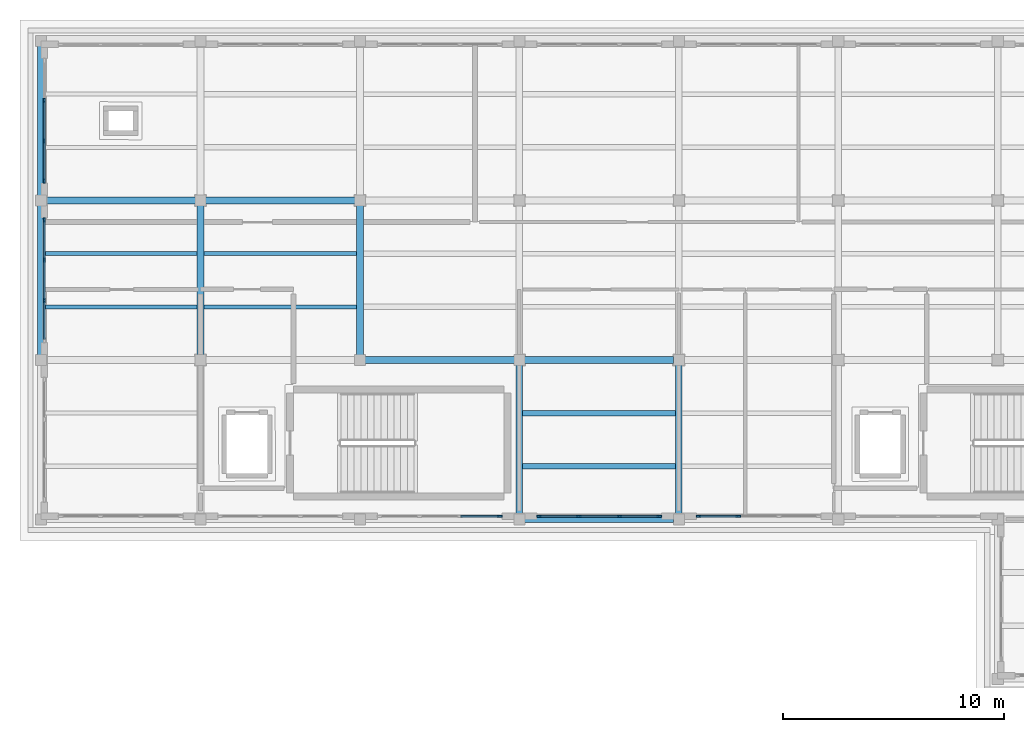
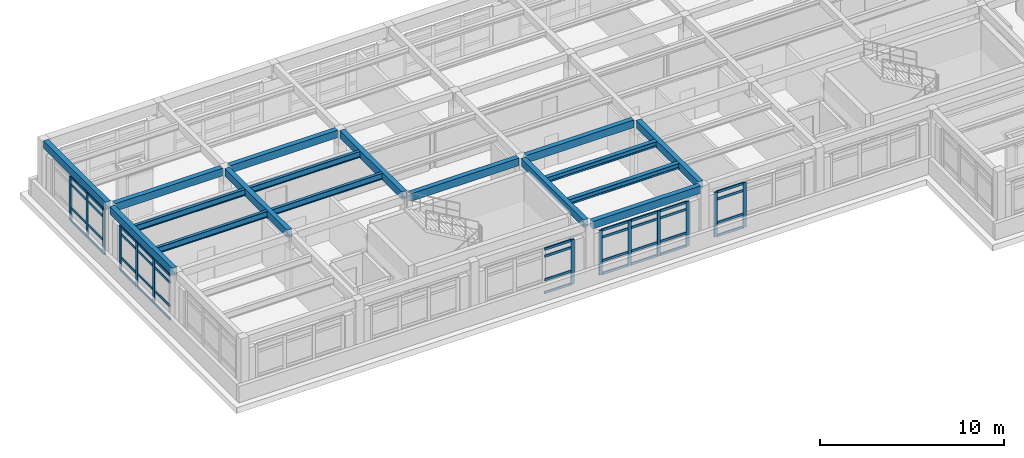
# One storey, part 3 of 18: 53 members, 17 beams, 5 elements without a shape of their own.
"""IFC4 building model written with IfcOpenShell, lengths in metres."""

from ifc_helpers import new_model, si_unit, direction, frame, origin, origin_2d, place, context, subcontext, project, spatial, rectangle, i_section, extrude, material, layer, layer_set, material_profile, profile_set, type_object, element, aggregate, save


model = new_model("IFC4")

# Units and contexts
model_context = context("Model", 3, precision=1e-05, world=origin(), true_north=direction((0.0, 1.0)))
body_context = subcontext(model_context, "Body", "Model", "MODEL_VIEW")
ifc_project = project(units=[si_unit("LENGTHUNIT", "METRE"), si_unit("AREAUNIT", "SQUARE_METRE"), si_unit("VOLUMEUNIT", "CUBIC_METRE"), si_unit("PLANEANGLEUNIT", "RADIAN"), si_unit("MASSUNIT", "GRAM", prefix="KILO")], contexts=[model_context])

# Site, building, storey
site_placement = place(None, origin())
site = spatial("IfcSite", under=ifc_project, at=site_placement, CompositionType="ELEMENT")
building_placement = place(site_placement, origin())
building = spatial("IfcBuilding", under=site, at=building_placement, Name="Solenvale Faculty of Natural Sciences", CompositionType="ELEMENT")
storey_placement = place(building_placement, frame((0.0, 0.0, 43.800048828125)))
storey = spatial("IfcBuildingStorey", under=building, at=storey_placement, Name="L10", CompositionType="ELEMENT", Elevation=43.800048828125)

# Beams
ifc_material_1 = material(Name="Concrete 40 MPa", Category="concrete")
ifc_material_profile_1 = material_profile(ifc_material_1, rectangle(XDim=0.300048828125, YDim=0.5, at=origin_2d()), Name="RC-BM-300x500")
ifc_profile_set_1 = profile_set([ifc_material_profile_1], Name="Concrete 40 MPa")
beam_type_1 = type_object("IfcBeamType", Name="BM-RC-300x500", PredefinedType="BEAM", material=ifc_profile_set_1)
for number, where, z_axis, x_axis, name in (
    (1, (115.429931640625, 93.60009765625, 3.669921875), (1.0, 0.0, 0.0), (0.0, 1.0, 0.0), "L10 X-Girder Y93.6 (115.2..122.4)"),
    (2, (108.22998046875, 100.800048828125, 3.669921875), (1.0, 0.0, 0.0), (0.0, 1.0, 0.0), "L10 X-Girder Y100.8 (108.0..115.2)"),
    (3, (115.429931640625, 100.800048828125, 3.669921875), (1.0, 0.0, 0.0), (0.0, 1.0, 0.0), "L10 X-Girder Y100.8 (115.2..122.4)"),
    (4, (93.830078125, 108.0, 3.669921875), (1.0, 0.0, 0.0), (0.0, 1.0, 0.0), "L10 X-Girder Y108.0 (93.6..100.8)"),
    (5, (101.030029296875, 108.0, 3.669921875), (1.0, 0.0, 0.0), (0.0, 1.0, 0.0), "L10 X-Girder Y108.0 (100.8..108.0)"),
    (6, (93.60009765625, 101.030029296875, 3.669921875), (0.0, 1.0, 0.0), (-1.0, 0.0, 0.0), "L10 Y-Girder X93.6 (100.8..108.0)"),
    (7, (93.60009765625, 108.22998046875, 3.669921875), (0.0, 1.0, 0.0), (-1.0, 0.0, 0.0), "L10 Y-Girder X93.6 (108.0..115.2)"),
    (8, (100.800048828125, 101.030029296875, 3.669921875), (0.0, 1.0, 0.0), (-1.0, 0.0, 0.0), "L10 Y-Girder X100.8 (100.8..108.0)"),
    (9, (108.0, 101.030029296875, 3.669921875), (0.0, 1.0, 0.0), (-1.0, 0.0, 0.0), "L10 Y-Girder X108.0 (100.8..108.0)"),
    (10, (115.199951171875, 93.830078125, 3.669921875), (0.0, 1.0, 0.0), (-1.0, 0.0, 0.0), "L10 Y-Girder X115.2 (93.6..100.8)"),
    (11, (122.39990234375, 93.830078125, 3.669921875), (0.0, 1.0, 0.0), (-1.0, 0.0, 0.0), "L10 Y-Girder X122.4 (93.6..100.8)"),
):
    element("IfcBeam", number, at=place(storey_placement, frame(where, z_axis=z_axis, x_axis=x_axis)), inside=storey, type_object=beam_type_1, Name=name, PredefinedType="BEAM", context=body_context, shape_type="SweptSolid", body=[
        extrude(rectangle(XDim=0.300048828125, YDim=0.5, at=origin_2d()), origin(), (0.0, 0.0, 1.0), 6.739990234375),
    ])
ifc_material_2 = material(Name="Steel S355", Category="steel")
ifc_material_profile_2 = material_profile(ifc_material_2, i_section(OverallWidth=0.2548828125, OverallDepth=0.35693359375, WebThickness=0.010498046875, FlangeThickness=0.018310546875, FilletRadius=0.014892578125, at=origin_2d()), Name="W360x101")
ifc_profile_set_2 = profile_set([ifc_material_profile_2], Name="Steel S355")
beam_type_2 = type_object("IfcBeamType", Name="BM-STL-W360x101", PredefinedType="JOIST", material=ifc_profile_set_2)
for number, where, z_axis, x_axis, name in (
    (12, (115.330078125, 96.0, 3.741455078125), (1.0, 0.0, 0.0), (0.0, 1.0, 0.0), "L10 Composite Floor Joist (17,14).1"),
    (13, (115.330078125, 98.39990234375, 3.741455078125), (1.0, 0.0, 0.0), (0.0, 1.0, 0.0), "L10 Composite Floor Joist (17,14).2"),
):
    element("IfcBeam", number, at=place(storey_placement, frame(where, z_axis=z_axis, x_axis=x_axis)), inside=storey, type_object=beam_type_2, Name=name, PredefinedType="JOIST", context=body_context, shape_type="SweptSolid", body=[
        extrude(i_section(OverallWidth=0.2548828125, OverallDepth=0.35693359375, WebThickness=0.010498046875, FlangeThickness=0.018310546875, FilletRadius=0.014892578125, at=origin_2d()), origin(), (0.0, 0.0, 1.0), 6.93994140625),
    ])
ifc_material_profile_3 = material_profile(ifc_material_2, i_section(OverallWidth=0.178955078125, OverallDepth=0.409912109375, WebThickness=0.0087890625, FlangeThickness=0.014404296875, FilletRadius=0.01611328125, at=origin_2d()), Name="W410x67")
ifc_profile_set_3 = profile_set([ifc_material_profile_3], Name="Steel S355")
beam_type_3 = type_object("IfcBeamType", Name="BM-STL-W410x67", PredefinedType="JOIST", material=ifc_profile_set_3)
for number, where, z_axis, x_axis, name in (
    (14, (100.929931640625, 103.199951171875, 3.71484375), (1.0, 0.0, 0.0), (0.0, 1.0, 0.0), "L10 Composite Floor Joist (15,15).1"),
    (15, (100.929931640625, 105.60009765625, 3.71484375), (1.0, 0.0, 0.0), (0.0, 1.0, 0.0), "L10 Composite Floor Joist (15,15).2"),
):
    element("IfcBeam", number, at=place(storey_placement, frame(where, z_axis=z_axis, x_axis=x_axis)), inside=storey, type_object=beam_type_3, Name=name, PredefinedType="JOIST", context=body_context, shape_type="SweptSolid", body=[
        extrude(i_section(OverallWidth=0.178955078125, OverallDepth=0.409912109375, WebThickness=0.0087890625, FlangeThickness=0.014404296875, FilletRadius=0.01611328125, at=origin_2d()), origin(), (0.0, 0.0, 1.0), 6.940185546875),
    ])
ifc_material_profile_4 = material_profile(ifc_material_2, i_section(OverallWidth=0.180908203125, OverallDepth=0.4169921875, WebThickness=0.010986328125, FlangeThickness=0.018310546875, FilletRadius=0.01611328125, at=origin_2d()), Name="W410x85")
ifc_profile_set_4 = profile_set([ifc_material_profile_4], Name="Steel S355")
beam_type_4 = type_object("IfcBeamType", Name="BM-STL-W410x85", PredefinedType="JOIST", material=ifc_profile_set_4)
for number, where, z_axis, x_axis, name in (
    (16, (93.72998046875, 103.199951171875, 3.71142578125), (1.0, 0.0, 0.0), (0.0, 1.0, 0.0), "L10 Composite Floor Joist (14,15).1"),
    (17, (93.72998046875, 105.60009765625, 3.71142578125), (1.0, 0.0, 0.0), (0.0, 1.0, 0.0), "L10 Composite Floor Joist (14,15).2"),
):
    element("IfcBeam", number, at=place(storey_placement, frame(where, z_axis=z_axis, x_axis=x_axis)), inside=storey, type_object=beam_type_4, Name=name, PredefinedType="JOIST", context=body_context, shape_type="SweptSolid", body=[
        extrude(i_section(OverallWidth=0.180908203125, OverallDepth=0.4169921875, WebThickness=0.010986328125, FlangeThickness=0.018310546875, FilletRadius=0.01611328125, at=origin_2d()), origin(), (0.0, 0.0, 1.0), 6.93994140625),
    ])

# Curtain wall, members
ifc_material_3 = material(Name="Anodised bronze aluminium", Category="aluminium")
ifc_layer = layer(ifc_material_3, 0.179931640625)
ifc_layer_set = layer_set([ifc_layer], Name="Anodised bronze aluminium")
curtain_wall_type = type_object("IfcCurtainWallType", Name="CW-TWR-MOD", PredefinedType="USERDEFINED", material=ifc_layer_set)
curtain_wall_1_placement = place(storey_placement, origin())
curtain_wall_1 = element("IfcCurtainWall", 18, at=curtain_wall_1_placement, inside=storey, type_object=curtain_wall_type, Name="L10 Curtain Wall CW-L10-P1-E3-B1", ObjectType="UNITISED CURTAIN WALL", PredefinedType="USERDEFINED")
ifc_material_profile_5 = material_profile(ifc_material_3, rectangle(XDim=0.074951171875, YDim=0.2099609375, at=origin_2d()), Name="ALU-MUL-75x210")
ifc_profile_set_5 = profile_set([ifc_material_profile_5], Name="Anodised bronze aluminium")
member_type_1 = type_object("IfcMemberType", Name="CWM-ALU-75x210", PredefinedType="MULLION", material=ifc_profile_set_5)
member_1_placement = place(storey_placement, frame((93.742431640625, 112.5166015625, 0.0), z_axis=(0.0, 0.0, 1.0), x_axis=(1.0, 0.0, 0.0)))
member_1 = element("IfcMember", 19, at=member_1_placement, type_object=member_type_1, Name="CW-04 mullion 2", PredefinedType="MULLION", context=body_context, shape_type="SweptSolid", body=[
    extrude(rectangle(XDim=0.074951171875, YDim=0.2099609375, at=origin_2d()), origin(), (0.0, 0.0, 1.0), 2.9599609375),
])
member_2_placement = place(storey_placement, frame((93.742431640625, 110.683349609375, 0.0), z_axis=(0.0, 0.0, 1.0), x_axis=(1.0, 0.0, 0.0)))
member_2 = element("IfcMember", 20, at=member_2_placement, type_object=member_type_1, Name="CW-04 mullion 3", PredefinedType="MULLION", context=body_context, shape_type="SweptSolid", body=[
    extrude(rectangle(XDim=0.074951171875, YDim=0.2099609375, at=origin_2d()), origin(), (0.0, 0.0, 1.0), 2.9599609375),
])
member_3_placement = place(storey_placement, frame((93.742431640625, 108.887451171875, 0.0), z_axis=(0.0, 0.0, 1.0), x_axis=(1.0, 0.0, 0.0)))
member_3 = element("IfcMember", 21, at=member_3_placement, type_object=member_type_1, Name="CW-04 mullion 4", PredefinedType="MULLION", context=body_context, shape_type="SweptSolid", body=[
    extrude(rectangle(XDim=0.074951171875, YDim=0.2099609375, at=origin_2d()), origin(), (0.0, 0.0, 1.0), 2.9599609375),
])

curtain_wall_2_placement = place(storey_placement, origin())
curtain_wall_2 = element("IfcCurtainWall", 22, at=curtain_wall_2_placement, inside=storey, type_object=curtain_wall_type, Name="L10 Curtain Wall CW-L10-P1-E3-B2", ObjectType="UNITISED CURTAIN WALL", PredefinedType="USERDEFINED")
member_4_placement = place(storey_placement, frame((93.742431640625, 107.112548828125, 0.0), z_axis=(0.0, 0.0, 1.0), x_axis=(1.0, 0.0, 0.0)))
member_4 = element("IfcMember", 23, at=member_4_placement, type_object=member_type_1, Name="CW-04 mullion 1", PredefinedType="MULLION", context=body_context, shape_type="SweptSolid", body=[
    extrude(rectangle(XDim=0.074951171875, YDim=0.2099609375, at=origin_2d()), origin(), (0.0, 0.0, 1.0), 2.9599609375),
])
member_5_placement = place(storey_placement, frame((93.742431640625, 105.316650390625, 0.0), z_axis=(0.0, 0.0, 1.0), x_axis=(1.0, 0.0, 0.0)))
member_5 = element("IfcMember", 24, at=member_5_placement, type_object=member_type_1, Name="CW-04 mullion 2", PredefinedType="MULLION", context=body_context, shape_type="SweptSolid", body=[
    extrude(rectangle(XDim=0.074951171875, YDim=0.2099609375, at=origin_2d()), origin(), (0.0, 0.0, 1.0), 2.9599609375),
])
member_6_placement = place(storey_placement, frame((93.742431640625, 103.4833984375, 0.0), z_axis=(0.0, 0.0, 1.0), x_axis=(1.0, 0.0, 0.0)))
member_6 = element("IfcMember", 25, at=member_6_placement, type_object=member_type_1, Name="CW-04 mullion 3", PredefinedType="MULLION", context=body_context, shape_type="SweptSolid", body=[
    extrude(rectangle(XDim=0.074951171875, YDim=0.2099609375, at=origin_2d()), origin(), (0.0, 0.0, 1.0), 2.9599609375),
])

# Curtain wall, member
curtain_wall_3_placement = place(storey_placement, origin())
curtain_wall_3 = element("IfcCurtainWall", 26, at=curtain_wall_3_placement, inside=storey, type_object=curtain_wall_type, Name="L10 Curtain Wall CW-L10-P1-E4-B3", ObjectType="UNITISED CURTAIN WALL", PredefinedType="USERDEFINED")
member_7_placement = place(storey_placement, frame((114.3125, 93.742431640625, 0.0), z_axis=(0.0, 0.0, 1.0), x_axis=(0.0, 1.0, 0.0)))
member_7 = element("IfcMember", 27, at=member_7_placement, type_object=member_type_1, Name="CW-04 mullion 4", PredefinedType="MULLION", context=body_context, shape_type="SweptSolid", body=[
    extrude(rectangle(XDim=0.074951171875, YDim=0.2099609375, at=origin_2d()), origin(), (0.0, 0.0, 1.0), 2.9599609375),
])

# Curtain wall, members
curtain_wall_4_placement = place(storey_placement, origin())
curtain_wall_4 = element("IfcCurtainWall", 28, at=curtain_wall_4_placement, inside=storey, type_object=curtain_wall_type, Name="L10 Curtain Wall CW-L10-P1-E4-B4", ObjectType="UNITISED CURTAIN WALL", PredefinedType="USERDEFINED")
member_8_placement = place(storey_placement, frame((116.08740234375, 93.742431640625, 0.0), z_axis=(0.0, 0.0, 1.0), x_axis=(0.0, 1.0, 0.0)))
member_8 = element("IfcMember", 29, at=member_8_placement, type_object=member_type_1, Name="CW-04 mullion 1", PredefinedType="MULLION", context=body_context, shape_type="SweptSolid", body=[
    extrude(rectangle(XDim=0.074951171875, YDim=0.2099609375, at=origin_2d()), origin(), (0.0, 0.0, 1.0), 2.9599609375),
])
member_9_placement = place(storey_placement, frame((117.88330078125, 93.742431640625, 0.0), z_axis=(0.0, 0.0, 1.0), x_axis=(0.0, 1.0, 0.0)))
member_9 = element("IfcMember", 30, at=member_9_placement, type_object=member_type_1, Name="CW-04 mullion 2", PredefinedType="MULLION", context=body_context, shape_type="SweptSolid", body=[
    extrude(rectangle(XDim=0.074951171875, YDim=0.2099609375, at=origin_2d()), origin(), (0.0, 0.0, 1.0), 2.9599609375),
])
member_10_placement = place(storey_placement, frame((119.716552734375, 93.742431640625, 0.0), z_axis=(0.0, 0.0, 1.0), x_axis=(0.0, 1.0, 0.0)))
member_10 = element("IfcMember", 31, at=member_10_placement, type_object=member_type_1, Name="CW-04 mullion 3", PredefinedType="MULLION", context=body_context, shape_type="SweptSolid", body=[
    extrude(rectangle(XDim=0.074951171875, YDim=0.2099609375, at=origin_2d()), origin(), (0.0, 0.0, 1.0), 2.9599609375),
])
member_11_placement = place(storey_placement, frame((121.512451171875, 93.742431640625, 0.0), z_axis=(0.0, 0.0, 1.0), x_axis=(0.0, 1.0, 0.0)))
member_11 = element("IfcMember", 32, at=member_11_placement, type_object=member_type_1, Name="CW-04 mullion 4", PredefinedType="MULLION", context=body_context, shape_type="SweptSolid", body=[
    extrude(rectangle(XDim=0.074951171875, YDim=0.2099609375, at=origin_2d()), origin(), (0.0, 0.0, 1.0), 2.9599609375),
])

curtain_wall_5_placement = place(storey_placement, origin())
curtain_wall_5 = element("IfcCurtainWall", 33, at=curtain_wall_5_placement, inside=storey, type_object=curtain_wall_type, Name="L10 Curtain Wall CW-L10-P1-E4-B5", ObjectType="UNITISED CURTAIN WALL", PredefinedType="USERDEFINED")
member_12_placement = place(storey_placement, frame((123.28759765625, 93.742431640625, 0.0), z_axis=(0.0, 0.0, 1.0), x_axis=(0.0, 1.0, 0.0)))
member_12 = element("IfcMember", 34, at=member_12_placement, type_object=member_type_1, Name="CW-04 mullion 1", PredefinedType="MULLION", context=body_context, shape_type="SweptSolid", body=[
    extrude(rectangle(XDim=0.074951171875, YDim=0.2099609375, at=origin_2d()), origin(), (0.0, 0.0, 1.0), 2.9599609375),
])
member_13_placement = place(storey_placement, frame((125.083251953125, 93.742431640625, 0.0), z_axis=(0.0, 0.0, 1.0), x_axis=(0.0, 1.0, 0.0)))
member_13 = element("IfcMember", 35, at=member_13_placement, type_object=member_type_1, Name="CW-04 mullion 2", PredefinedType="MULLION", context=body_context, shape_type="SweptSolid", body=[
    extrude(rectangle(XDim=0.074951171875, YDim=0.2099609375, at=origin_2d()), origin(), (0.0, 0.0, 1.0), 2.9599609375),
])

# Member
ifc_material_profile_6 = material_profile(ifc_material_3, rectangle(XDim=0.074951171875, YDim=0.155029296875, at=origin_2d()), Name="ALU-TRN-75x155")
ifc_profile_set_6 = profile_set([ifc_material_profile_6], Name="Anodised bronze aluminium")
member_type_2 = type_object("IfcMemberType", Name="CWT-ALU-75x155", PredefinedType="USERDEFINED", material=ifc_profile_set_6)
member_14_placement = place(storey_placement, frame((93.742431640625, 112.479248046875, 0.037353515625), z_axis=(0.0, -1.0, 0.0), x_axis=(1.0, 0.0, 0.0)))
member_14 = element("IfcMember", 36, at=member_14_placement, type_object=member_type_2, Name="CW-04 transom 2.1", ObjectType="TRANSOM", PredefinedType="USERDEFINED", context=body_context, shape_type="SweptSolid", body=[
    extrude(rectangle(XDim=0.074951171875, YDim=0.155029296875, at=origin_2d()), origin(), (0.0, 0.0, 1.0), 1.75830078125),
])

member_15_placement = place(storey_placement, frame((93.742431640625, 112.479248046875, 0.89990234375), z_axis=(0.0, -1.0, 0.0), x_axis=(1.0, 0.0, 0.0)))
member_15 = element("IfcMember", 37, at=member_15_placement, type_object=member_type_2, Name="CW-04 transom 2.2", ObjectType="TRANSOM", PredefinedType="USERDEFINED", context=body_context, shape_type="SweptSolid", body=[
    extrude(rectangle(XDim=0.074951171875, YDim=0.155029296875, at=origin_2d()), origin(), (0.0, 0.0, 1.0), 1.75830078125),
])

member_16_placement = place(storey_placement, frame((93.742431640625, 112.479248046875, 2.4599609375), z_axis=(0.0, -1.0, 0.0), x_axis=(1.0, 0.0, 0.0)))
member_16 = element("IfcMember", 38, at=member_16_placement, type_object=member_type_2, Name="CW-04 transom 2.3", ObjectType="TRANSOM", PredefinedType="USERDEFINED", context=body_context, shape_type="SweptSolid", body=[
    extrude(rectangle(XDim=0.074951171875, YDim=0.155029296875, at=origin_2d()), origin(), (0.0, 0.0, 1.0), 1.75830078125),
])

member_17_placement = place(storey_placement, frame((93.742431640625, 112.479248046875, 2.92236328125), z_axis=(0.0, -1.0, 0.0), x_axis=(1.0, 0.0, 0.0)))
member_17 = element("IfcMember", 39, at=member_17_placement, type_object=member_type_2, Name="CW-04 transom 2.4", ObjectType="TRANSOM", PredefinedType="USERDEFINED", context=body_context, shape_type="SweptSolid", body=[
    extrude(rectangle(XDim=0.074951171875, YDim=0.155029296875, at=origin_2d()), origin(), (0.0, 0.0, 1.0), 1.75830078125),
])

member_18_placement = place(storey_placement, frame((93.742431640625, 110.645751953125, 0.037353515625), z_axis=(0.0, -1.0, 0.0), x_axis=(1.0, 0.0, 0.0)))
member_18 = element("IfcMember", 40, at=member_18_placement, type_object=member_type_2, Name="CW-04 transom 3.1", ObjectType="TRANSOM", PredefinedType="USERDEFINED", context=body_context, shape_type="SweptSolid", body=[
    extrude(rectangle(XDim=0.074951171875, YDim=0.155029296875, at=origin_2d()), origin(), (0.0, 0.0, 1.0), 1.720703125),
])

member_19_placement = place(storey_placement, frame((93.742431640625, 110.645751953125, 0.89990234375), z_axis=(0.0, -1.0, 0.0), x_axis=(1.0, 0.0, 0.0)))
member_19 = element("IfcMember", 41, at=member_19_placement, type_object=member_type_2, Name="CW-04 transom 3.2", ObjectType="TRANSOM", PredefinedType="USERDEFINED", context=body_context, shape_type="SweptSolid", body=[
    extrude(rectangle(XDim=0.074951171875, YDim=0.155029296875, at=origin_2d()), origin(), (0.0, 0.0, 1.0), 1.720703125),
])

member_20_placement = place(storey_placement, frame((93.742431640625, 110.645751953125, 2.4599609375), z_axis=(0.0, -1.0, 0.0), x_axis=(1.0, 0.0, 0.0)))
member_20 = element("IfcMember", 42, at=member_20_placement, type_object=member_type_2, Name="CW-04 transom 3.3", ObjectType="TRANSOM", PredefinedType="USERDEFINED", context=body_context, shape_type="SweptSolid", body=[
    extrude(rectangle(XDim=0.074951171875, YDim=0.155029296875, at=origin_2d()), origin(), (0.0, 0.0, 1.0), 1.720703125),
])

member_21_placement = place(storey_placement, frame((93.742431640625, 110.645751953125, 2.92236328125), z_axis=(0.0, -1.0, 0.0), x_axis=(1.0, 0.0, 0.0)))
member_21 = element("IfcMember", 43, at=member_21_placement, type_object=member_type_2, Name="CW-04 transom 3.4", ObjectType="TRANSOM", PredefinedType="USERDEFINED", context=body_context, shape_type="SweptSolid", body=[
    extrude(rectangle(XDim=0.074951171875, YDim=0.155029296875, at=origin_2d()), origin(), (0.0, 0.0, 1.0), 1.720703125),
])

aggregate(curtain_wall_1, [member_1, member_2, member_3, member_14, member_15, member_16, member_17, member_18, member_19, member_20, member_21])

member_22_placement = place(storey_placement, frame((93.742431640625, 107.074951171875, 0.037353515625), z_axis=(0.0, -1.0, 0.0), x_axis=(1.0, 0.0, 0.0)))
member_22 = element("IfcMember", 44, at=member_22_placement, type_object=member_type_2, Name="CW-04 transom 1.1", ObjectType="TRANSOM", PredefinedType="USERDEFINED", context=body_context, shape_type="SweptSolid", body=[
    extrude(rectangle(XDim=0.074951171875, YDim=0.155029296875, at=origin_2d()), origin(), (0.0, 0.0, 1.0), 1.720703125),
])

member_23_placement = place(storey_placement, frame((93.742431640625, 107.074951171875, 0.89990234375), z_axis=(0.0, -1.0, 0.0), x_axis=(1.0, 0.0, 0.0)))
member_23 = element("IfcMember", 45, at=member_23_placement, type_object=member_type_2, Name="CW-04 transom 1.2", ObjectType="TRANSOM", PredefinedType="USERDEFINED", context=body_context, shape_type="SweptSolid", body=[
    extrude(rectangle(XDim=0.074951171875, YDim=0.155029296875, at=origin_2d()), origin(), (0.0, 0.0, 1.0), 1.720703125),
])

member_24_placement = place(storey_placement, frame((93.742431640625, 107.074951171875, 2.4599609375), z_axis=(0.0, -1.0, 0.0), x_axis=(1.0, 0.0, 0.0)))
member_24 = element("IfcMember", 46, at=member_24_placement, type_object=member_type_2, Name="CW-04 transom 1.3", ObjectType="TRANSOM", PredefinedType="USERDEFINED", context=body_context, shape_type="SweptSolid", body=[
    extrude(rectangle(XDim=0.074951171875, YDim=0.155029296875, at=origin_2d()), origin(), (0.0, 0.0, 1.0), 1.720703125),
])

member_25_placement = place(storey_placement, frame((93.742431640625, 107.074951171875, 2.92236328125), z_axis=(0.0, -1.0, 0.0), x_axis=(1.0, 0.0, 0.0)))
member_25 = element("IfcMember", 47, at=member_25_placement, type_object=member_type_2, Name="CW-04 transom 1.4", ObjectType="TRANSOM", PredefinedType="USERDEFINED", context=body_context, shape_type="SweptSolid", body=[
    extrude(rectangle(XDim=0.074951171875, YDim=0.155029296875, at=origin_2d()), origin(), (0.0, 0.0, 1.0), 1.720703125),
])

member_26_placement = place(storey_placement, frame((93.742431640625, 105.279052734375, 0.037353515625), z_axis=(0.0, -1.0, 0.0), x_axis=(1.0, 0.0, 0.0)))
member_26 = element("IfcMember", 48, at=member_26_placement, type_object=member_type_2, Name="CW-04 transom 2.1", ObjectType="TRANSOM", PredefinedType="USERDEFINED", context=body_context, shape_type="SweptSolid", body=[
    extrude(rectangle(XDim=0.074951171875, YDim=0.155029296875, at=origin_2d()), origin(), (0.0, 0.0, 1.0), 1.75830078125),
])

member_27_placement = place(storey_placement, frame((93.742431640625, 105.279052734375, 0.89990234375), z_axis=(0.0, -1.0, 0.0), x_axis=(1.0, 0.0, 0.0)))
member_27 = element("IfcMember", 49, at=member_27_placement, type_object=member_type_2, Name="CW-04 transom 2.2", ObjectType="TRANSOM", PredefinedType="USERDEFINED", context=body_context, shape_type="SweptSolid", body=[
    extrude(rectangle(XDim=0.074951171875, YDim=0.155029296875, at=origin_2d()), origin(), (0.0, 0.0, 1.0), 1.75830078125),
])

member_28_placement = place(storey_placement, frame((93.742431640625, 105.279052734375, 2.4599609375), z_axis=(0.0, -1.0, 0.0), x_axis=(1.0, 0.0, 0.0)))
member_28 = element("IfcMember", 50, at=member_28_placement, type_object=member_type_2, Name="CW-04 transom 2.3", ObjectType="TRANSOM", PredefinedType="USERDEFINED", context=body_context, shape_type="SweptSolid", body=[
    extrude(rectangle(XDim=0.074951171875, YDim=0.155029296875, at=origin_2d()), origin(), (0.0, 0.0, 1.0), 1.75830078125),
])

member_29_placement = place(storey_placement, frame((93.742431640625, 105.279052734375, 2.92236328125), z_axis=(0.0, -1.0, 0.0), x_axis=(1.0, 0.0, 0.0)))
member_29 = element("IfcMember", 51, at=member_29_placement, type_object=member_type_2, Name="CW-04 transom 2.4", ObjectType="TRANSOM", PredefinedType="USERDEFINED", context=body_context, shape_type="SweptSolid", body=[
    extrude(rectangle(XDim=0.074951171875, YDim=0.155029296875, at=origin_2d()), origin(), (0.0, 0.0, 1.0), 1.75830078125),
])

member_30_placement = place(storey_placement, frame((93.742431640625, 103.44580078125, 0.037353515625), z_axis=(0.0, -1.0, 0.0), x_axis=(1.0, 0.0, 0.0)))
member_30 = element("IfcMember", 52, at=member_30_placement, type_object=member_type_2, Name="CW-04 transom 3.1", ObjectType="TRANSOM", PredefinedType="USERDEFINED", context=body_context, shape_type="SweptSolid", body=[
    extrude(rectangle(XDim=0.074951171875, YDim=0.155029296875, at=origin_2d()), origin(), (0.0, 0.0, 1.0), 1.720703125),
])

member_31_placement = place(storey_placement, frame((93.742431640625, 103.44580078125, 0.89990234375), z_axis=(0.0, -1.0, 0.0), x_axis=(1.0, 0.0, 0.0)))
member_31 = element("IfcMember", 53, at=member_31_placement, type_object=member_type_2, Name="CW-04 transom 3.2", ObjectType="TRANSOM", PredefinedType="USERDEFINED", context=body_context, shape_type="SweptSolid", body=[
    extrude(rectangle(XDim=0.074951171875, YDim=0.155029296875, at=origin_2d()), origin(), (0.0, 0.0, 1.0), 1.720703125),
])

member_32_placement = place(storey_placement, frame((93.742431640625, 103.44580078125, 2.4599609375), z_axis=(0.0, -1.0, 0.0), x_axis=(1.0, 0.0, 0.0)))
member_32 = element("IfcMember", 54, at=member_32_placement, type_object=member_type_2, Name="CW-04 transom 3.3", ObjectType="TRANSOM", PredefinedType="USERDEFINED", context=body_context, shape_type="SweptSolid", body=[
    extrude(rectangle(XDim=0.074951171875, YDim=0.155029296875, at=origin_2d()), origin(), (0.0, 0.0, 1.0), 1.720703125),
])

member_33_placement = place(storey_placement, frame((93.742431640625, 103.44580078125, 2.92236328125), z_axis=(0.0, -1.0, 0.0), x_axis=(1.0, 0.0, 0.0)))
member_33 = element("IfcMember", 55, at=member_33_placement, type_object=member_type_2, Name="CW-04 transom 3.4", ObjectType="TRANSOM", PredefinedType="USERDEFINED", context=body_context, shape_type="SweptSolid", body=[
    extrude(rectangle(XDim=0.074951171875, YDim=0.155029296875, at=origin_2d()), origin(), (0.0, 0.0, 1.0), 1.720703125),
])

aggregate(curtain_wall_2, [member_4, member_5, member_6, member_22, member_23, member_24, member_25, member_26, member_27, member_28, member_29, member_30, member_31, member_32, member_33])

member_34_placement = place(storey_placement, frame((112.55419921875, 93.742431640625, 0.037353515625), z_axis=(1.0, 0.0, 0.0), x_axis=(0.0, 1.0, 0.0)))
member_34 = element("IfcMember", 56, at=member_34_placement, type_object=member_type_2, Name="CW-04 transom 3.1", ObjectType="TRANSOM", PredefinedType="USERDEFINED", context=body_context, shape_type="SweptSolid", body=[
    extrude(rectangle(XDim=0.074951171875, YDim=0.155029296875, at=origin_2d()), origin(), (0.0, 0.0, 1.0), 1.720703125),
])

member_35_placement = place(storey_placement, frame((112.55419921875, 93.742431640625, 0.89990234375), z_axis=(1.0, 0.0, 0.0), x_axis=(0.0, 1.0, 0.0)))
member_35 = element("IfcMember", 57, at=member_35_placement, type_object=member_type_2, Name="CW-04 transom 3.2", ObjectType="TRANSOM", PredefinedType="USERDEFINED", context=body_context, shape_type="SweptSolid", body=[
    extrude(rectangle(XDim=0.074951171875, YDim=0.155029296875, at=origin_2d()), origin(), (0.0, 0.0, 1.0), 1.720703125),
])

member_36_placement = place(storey_placement, frame((112.55419921875, 93.742431640625, 2.4599609375), z_axis=(1.0, 0.0, 0.0), x_axis=(0.0, 1.0, 0.0)))
member_36 = element("IfcMember", 58, at=member_36_placement, type_object=member_type_2, Name="CW-04 transom 3.3", ObjectType="TRANSOM", PredefinedType="USERDEFINED", context=body_context, shape_type="SweptSolid", body=[
    extrude(rectangle(XDim=0.074951171875, YDim=0.155029296875, at=origin_2d()), origin(), (0.0, 0.0, 1.0), 1.720703125),
])

member_37_placement = place(storey_placement, frame((112.55419921875, 93.742431640625, 2.92236328125), z_axis=(1.0, 0.0, 0.0), x_axis=(0.0, 1.0, 0.0)))
member_37 = element("IfcMember", 59, at=member_37_placement, type_object=member_type_2, Name="CW-04 transom 3.4", ObjectType="TRANSOM", PredefinedType="USERDEFINED", context=body_context, shape_type="SweptSolid", body=[
    extrude(rectangle(XDim=0.074951171875, YDim=0.155029296875, at=origin_2d()), origin(), (0.0, 0.0, 1.0), 1.720703125),
])

aggregate(curtain_wall_3, [member_7, member_34, member_35, member_36, member_37])

member_38_placement = place(storey_placement, frame((116.125, 93.742431640625, 0.037353515625), z_axis=(1.0, 0.0, 0.0), x_axis=(0.0, 1.0, 0.0)))
member_38 = element("IfcMember", 60, at=member_38_placement, type_object=member_type_2, Name="CW-04 transom 1.1", ObjectType="TRANSOM", PredefinedType="USERDEFINED", context=body_context, shape_type="SweptSolid", body=[
    extrude(rectangle(XDim=0.074951171875, YDim=0.155029296875, at=origin_2d()), origin(), (0.0, 0.0, 1.0), 1.720947265625),
])

member_39_placement = place(storey_placement, frame((116.125, 93.742431640625, 0.89990234375), z_axis=(1.0, 0.0, 0.0), x_axis=(0.0, 1.0, 0.0)))
member_39 = element("IfcMember", 61, at=member_39_placement, type_object=member_type_2, Name="CW-04 transom 1.2", ObjectType="TRANSOM", PredefinedType="USERDEFINED", context=body_context, shape_type="SweptSolid", body=[
    extrude(rectangle(XDim=0.074951171875, YDim=0.155029296875, at=origin_2d()), origin(), (0.0, 0.0, 1.0), 1.720947265625),
])

member_40_placement = place(storey_placement, frame((116.125, 93.742431640625, 2.4599609375), z_axis=(1.0, 0.0, 0.0), x_axis=(0.0, 1.0, 0.0)))
member_40 = element("IfcMember", 62, at=member_40_placement, type_object=member_type_2, Name="CW-04 transom 1.3", ObjectType="TRANSOM", PredefinedType="USERDEFINED", context=body_context, shape_type="SweptSolid", body=[
    extrude(rectangle(XDim=0.074951171875, YDim=0.155029296875, at=origin_2d()), origin(), (0.0, 0.0, 1.0), 1.720947265625),
])

member_41_placement = place(storey_placement, frame((116.125, 93.742431640625, 2.92236328125), z_axis=(1.0, 0.0, 0.0), x_axis=(0.0, 1.0, 0.0)))
member_41 = element("IfcMember", 63, at=member_41_placement, type_object=member_type_2, Name="CW-04 transom 1.4", ObjectType="TRANSOM", PredefinedType="USERDEFINED", context=body_context, shape_type="SweptSolid", body=[
    extrude(rectangle(XDim=0.074951171875, YDim=0.155029296875, at=origin_2d()), origin(), (0.0, 0.0, 1.0), 1.720947265625),
])

member_42_placement = place(storey_placement, frame((117.9208984375, 93.742431640625, 0.037353515625), z_axis=(1.0, 0.0, 0.0), x_axis=(0.0, 1.0, 0.0)))
member_42 = element("IfcMember", 64, at=member_42_placement, type_object=member_type_2, Name="CW-04 transom 2.1", ObjectType="TRANSOM", PredefinedType="USERDEFINED", context=body_context, shape_type="SweptSolid", body=[
    extrude(rectangle(XDim=0.074951171875, YDim=0.155029296875, at=origin_2d()), origin(), (0.0, 0.0, 1.0), 1.75830078125),
])

member_43_placement = place(storey_placement, frame((117.9208984375, 93.742431640625, 0.89990234375), z_axis=(1.0, 0.0, 0.0), x_axis=(0.0, 1.0, 0.0)))
member_43 = element("IfcMember", 65, at=member_43_placement, type_object=member_type_2, Name="CW-04 transom 2.2", ObjectType="TRANSOM", PredefinedType="USERDEFINED", context=body_context, shape_type="SweptSolid", body=[
    extrude(rectangle(XDim=0.074951171875, YDim=0.155029296875, at=origin_2d()), origin(), (0.0, 0.0, 1.0), 1.75830078125),
])

member_44_placement = place(storey_placement, frame((117.9208984375, 93.742431640625, 2.4599609375), z_axis=(1.0, 0.0, 0.0), x_axis=(0.0, 1.0, 0.0)))
member_44 = element("IfcMember", 66, at=member_44_placement, type_object=member_type_2, Name="CW-04 transom 2.3", ObjectType="TRANSOM", PredefinedType="USERDEFINED", context=body_context, shape_type="SweptSolid", body=[
    extrude(rectangle(XDim=0.074951171875, YDim=0.155029296875, at=origin_2d()), origin(), (0.0, 0.0, 1.0), 1.75830078125),
])

member_45_placement = place(storey_placement, frame((117.9208984375, 93.742431640625, 2.92236328125), z_axis=(1.0, 0.0, 0.0), x_axis=(0.0, 1.0, 0.0)))
member_45 = element("IfcMember", 67, at=member_45_placement, type_object=member_type_2, Name="CW-04 transom 2.4", ObjectType="TRANSOM", PredefinedType="USERDEFINED", context=body_context, shape_type="SweptSolid", body=[
    extrude(rectangle(XDim=0.074951171875, YDim=0.155029296875, at=origin_2d()), origin(), (0.0, 0.0, 1.0), 1.75830078125),
])

member_46_placement = place(storey_placement, frame((119.754150390625, 93.742431640625, 0.037353515625), z_axis=(1.0, 0.0, 0.0), x_axis=(0.0, 1.0, 0.0)))
member_46 = element("IfcMember", 68, at=member_46_placement, type_object=member_type_2, Name="CW-04 transom 3.1", ObjectType="TRANSOM", PredefinedType="USERDEFINED", context=body_context, shape_type="SweptSolid", body=[
    extrude(rectangle(XDim=0.074951171875, YDim=0.155029296875, at=origin_2d()), origin(), (0.0, 0.0, 1.0), 1.720947265625),
])

member_47_placement = place(storey_placement, frame((119.754150390625, 93.742431640625, 0.89990234375), z_axis=(1.0, 0.0, 0.0), x_axis=(0.0, 1.0, 0.0)))
member_47 = element("IfcMember", 69, at=member_47_placement, type_object=member_type_2, Name="CW-04 transom 3.2", ObjectType="TRANSOM", PredefinedType="USERDEFINED", context=body_context, shape_type="SweptSolid", body=[
    extrude(rectangle(XDim=0.074951171875, YDim=0.155029296875, at=origin_2d()), origin(), (0.0, 0.0, 1.0), 1.720947265625),
])

member_48_placement = place(storey_placement, frame((119.754150390625, 93.742431640625, 2.4599609375), z_axis=(1.0, 0.0, 0.0), x_axis=(0.0, 1.0, 0.0)))
member_48 = element("IfcMember", 70, at=member_48_placement, type_object=member_type_2, Name="CW-04 transom 3.3", ObjectType="TRANSOM", PredefinedType="USERDEFINED", context=body_context, shape_type="SweptSolid", body=[
    extrude(rectangle(XDim=0.074951171875, YDim=0.155029296875, at=origin_2d()), origin(), (0.0, 0.0, 1.0), 1.720947265625),
])

member_49_placement = place(storey_placement, frame((119.754150390625, 93.742431640625, 2.92236328125), z_axis=(1.0, 0.0, 0.0), x_axis=(0.0, 1.0, 0.0)))
member_49 = element("IfcMember", 71, at=member_49_placement, type_object=member_type_2, Name="CW-04 transom 3.4", ObjectType="TRANSOM", PredefinedType="USERDEFINED", context=body_context, shape_type="SweptSolid", body=[
    extrude(rectangle(XDim=0.074951171875, YDim=0.155029296875, at=origin_2d()), origin(), (0.0, 0.0, 1.0), 1.720947265625),
])

aggregate(curtain_wall_4, [member_8, member_9, member_10, member_11, member_38, member_39, member_40, member_41, member_42, member_43, member_44, member_45, member_46, member_47, member_48, member_49])

member_50_placement = place(storey_placement, frame((123.324951171875, 93.742431640625, 0.037353515625), z_axis=(1.0, 0.0, 0.0), x_axis=(0.0, 1.0, 0.0)))
member_50 = element("IfcMember", 72, at=member_50_placement, type_object=member_type_2, Name="CW-04 transom 1.1", ObjectType="TRANSOM", PredefinedType="USERDEFINED", context=body_context, shape_type="SweptSolid", body=[
    extrude(rectangle(XDim=0.074951171875, YDim=0.155029296875, at=origin_2d()), origin(), (0.0, 0.0, 1.0), 1.720947265625),
])

member_51_placement = place(storey_placement, frame((123.324951171875, 93.742431640625, 0.89990234375), z_axis=(1.0, 0.0, 0.0), x_axis=(0.0, 1.0, 0.0)))
member_51 = element("IfcMember", 73, at=member_51_placement, type_object=member_type_2, Name="CW-04 transom 1.2", ObjectType="TRANSOM", PredefinedType="USERDEFINED", context=body_context, shape_type="SweptSolid", body=[
    extrude(rectangle(XDim=0.074951171875, YDim=0.155029296875, at=origin_2d()), origin(), (0.0, 0.0, 1.0), 1.720947265625),
])

member_52_placement = place(storey_placement, frame((123.324951171875, 93.742431640625, 2.4599609375), z_axis=(1.0, 0.0, 0.0), x_axis=(0.0, 1.0, 0.0)))
member_52 = element("IfcMember", 74, at=member_52_placement, type_object=member_type_2, Name="CW-04 transom 1.3", ObjectType="TRANSOM", PredefinedType="USERDEFINED", context=body_context, shape_type="SweptSolid", body=[
    extrude(rectangle(XDim=0.074951171875, YDim=0.155029296875, at=origin_2d()), origin(), (0.0, 0.0, 1.0), 1.720947265625),
])

member_53_placement = place(storey_placement, frame((123.324951171875, 93.742431640625, 2.92236328125), z_axis=(1.0, 0.0, 0.0), x_axis=(0.0, 1.0, 0.0)))
member_53 = element("IfcMember", 75, at=member_53_placement, type_object=member_type_2, Name="CW-04 transom 1.4", ObjectType="TRANSOM", PredefinedType="USERDEFINED", context=body_context, shape_type="SweptSolid", body=[
    extrude(rectangle(XDim=0.074951171875, YDim=0.155029296875, at=origin_2d()), origin(), (0.0, 0.0, 1.0), 1.720947265625),
])

aggregate(curtain_wall_5, [member_12, member_13, member_50, member_51, member_52, member_53])

save(model, "model.ifc")
